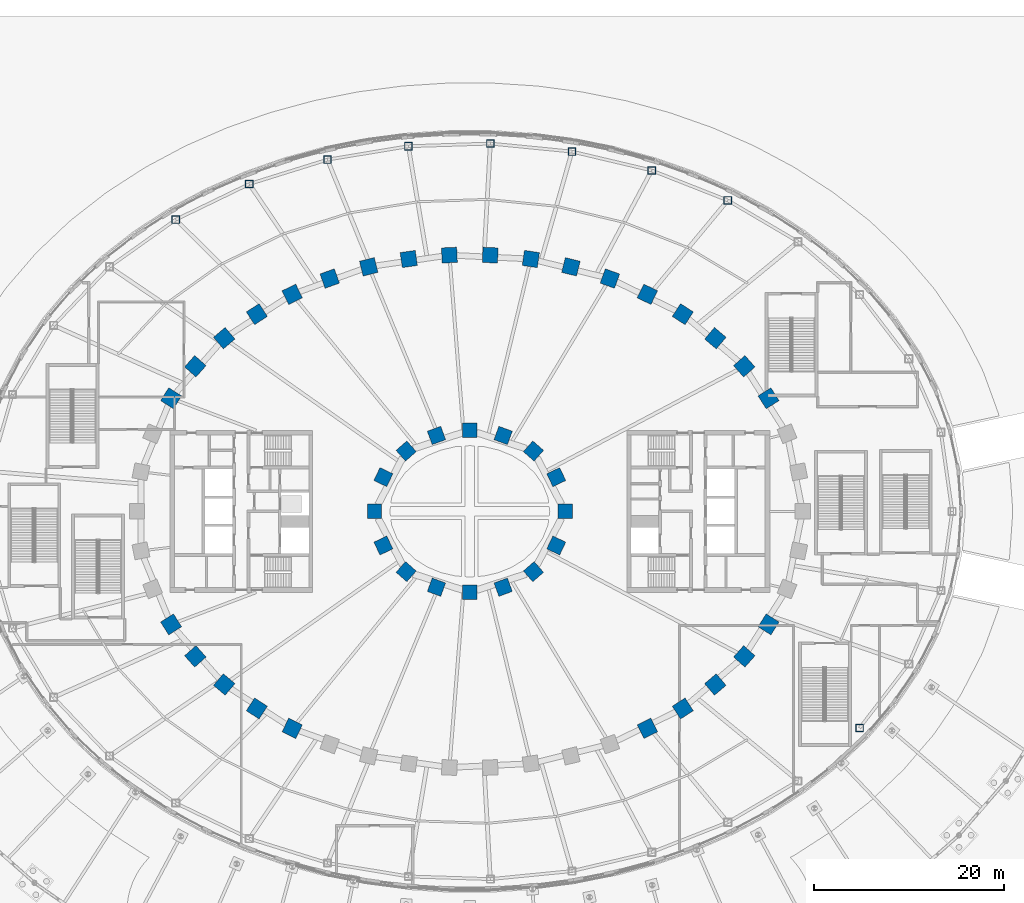
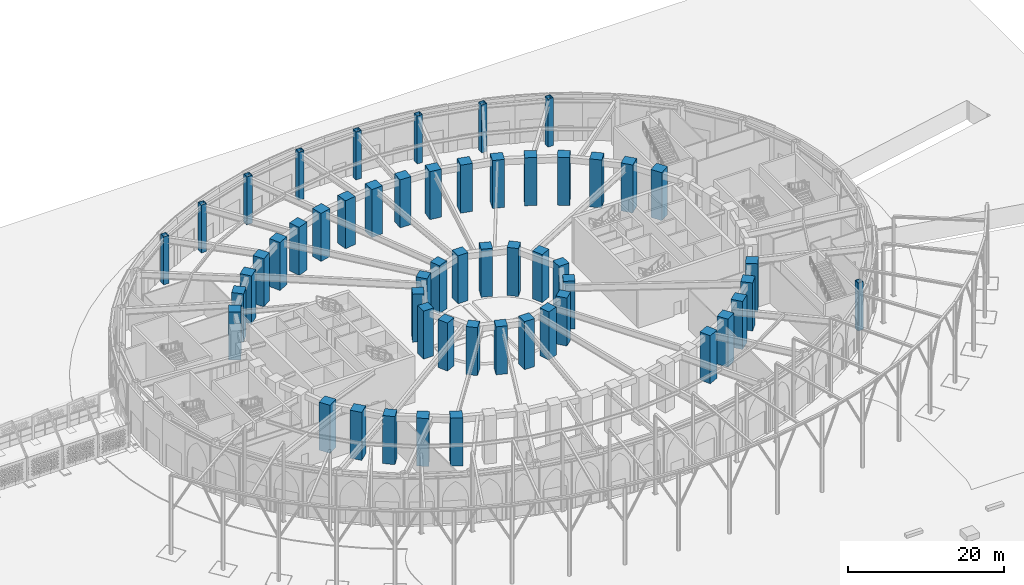
# One storey, part 15 of 79: 53 columns.
"""IFC4 building model written with IfcOpenShell, lengths in metres."""

from ifc_helpers import new_model, si_unit, direction, frame, origin, origin_2d, place, context, subcontext, project, spatial, rectangle, hollow_rectangle, extrude, material, material_profile, profile_set, type_object, element, save


model = new_model("IFC4")

# Units and contexts
model_context = context("Model", 3, precision=1e-05, world=origin(), true_north=direction((0.0, 1.0)))
body_context = subcontext(model_context, "Body", "Model", "MODEL_VIEW")
ifc_project = project(units=[si_unit("LENGTHUNIT", "METRE"), si_unit("AREAUNIT", "SQUARE_METRE"), si_unit("VOLUMEUNIT", "CUBIC_METRE"), si_unit("PLANEANGLEUNIT", "RADIAN"), si_unit("MASSUNIT", "GRAM", prefix="KILO")], contexts=[model_context])

# Site, building, storey
site_placement = place(None, origin())
site = spatial("IfcSite", under=ifc_project, at=site_placement, CompositionType="ELEMENT")
building_placement = place(site_placement, origin())
building = spatial("IfcBuilding", under=site, at=building_placement, Name="Noorbagh Ring Tower", CompositionType="ELEMENT")
storey_placement = place(building_placement, origin())
storey = spatial("IfcBuildingStorey", under=building, at=storey_placement, Name="L00", CompositionType="ELEMENT", Elevation=0.0)

# Columns
ifc_material_1 = material(Name="Steel S355", Category="steel")
ifc_material_profile_1 = material_profile(ifc_material_1, hollow_rectangle(XDim=0.800048828125, YDim=0.800048828125, WallThickness=0.0400390625, at=origin_2d()), Name="BOX800x800x40")
ifc_profile_set_1 = profile_set([ifc_material_profile_1], Name="Steel S355")
column_type_1 = type_object("IfcColumnType", Name="GND-COL-BOX800x800x40", PredefinedType="COLUMN", material=ifc_profile_set_1)
for number, where, z_axis, x_axis, name in (
    (1, (27.0869140625, 32.648193359375, 0.0), (0.0, 0.0, 1.0), (1.0, 0.0, 0.0), "L00/col/RP-06"),
    (2, (19.0966796875, 35.791748046875, 0.0), (0.0, 0.0, 1.0), (1.0, 0.0, 0.0), "L00/col/RP-07"),
    (3, (10.724609375, 37.771240234375, 0.0), (0.0, 0.0, 1.0), (1.0, 0.0, 0.0), "L00/col/RP-08"),
    (4, (2.154541015625, 38.6142578125, 0.0), (0.0, 0.0, 1.0), (1.0, 0.0, 0.0), "L00/col/RP-09"),
    (5, (-6.4541015625, 38.33349609375, 0.0), (0.0, 0.0, 1.0), (1.0, 0.0, 0.0), "L00/col/RP-10"),
    (6, (-14.946044921875, 36.925048828125, 0.0), (0.0, 0.0, 1.0), (1.0, 0.0, 0.0), "L00/col/RP-11"),
    (7, (-23.152587890625, 34.36767578125, 0.0), (0.0, 0.0, 1.0), (1.0, 0.0, 0.0), "L00/col/RP-12"),
    (8, (-30.869384765625, 30.629150390625, 0.0), (0.0, 0.0, 1.0), (1.0, 0.0, 0.0), "L00/col/RP-13"),
    (9, (40.927734375, -22.75, 0.0), (0.0, 0.0, 1.0), (1.0, 0.0, 0.0), "L00/col/RP-31"),
):
    element("IfcColumn", number, at=place(storey_placement, frame(where, z_axis=z_axis, x_axis=x_axis)), inside=storey, type_object=column_type_1, Name=name, PredefinedType="COLUMN", context=body_context, shape_type="SweptSolid", body=[
        extrude(hollow_rectangle(XDim=0.800048828125, YDim=0.800048828125, WallThickness=0.0400390625, at=origin_2d()), origin(), (0.0, 0.0, 1.0), 7.5),
    ])
ifc_material_2 = material(Name="Concrete C70/85", Category="concrete")
ifc_material_profile_2 = material_profile(ifc_material_2, rectangle(XDim=1.60009765625, YDim=1.60009765625, at=origin_2d()), Name="RC1600x1600")
ifc_profile_set_2 = profile_set([ifc_material_profile_2], Name="Concrete C70/85")
column_type_2 = type_object("IfcColumnType", Name="STR-COL-RC1600x1600-C70-85", PredefinedType="COLUMN", material=ifc_profile_set_2)
for number, where, z_axis, x_axis, name in (
    (10, (31.364990234375, 11.87109375, 0.0), (0.0, 0.0, 1.0), (-0.535190403059, 0.844731455833, 0.0), "L00/col/R1-04"),
    (11, (28.81884765625, 15.23046875, 0.0), (0.0, 0.0, 1.0), (-0.662635642662, 0.748941923699, 0.0), "L00/col/R1-05"),
    (12, (25.78271484375, 18.180419921875, 0.0), (0.0, 0.0, 1.0), (-0.763035199656, 0.646356932419, 0.0), "L00/col/R1-06"),
    (13, (22.362060546875, 20.699951171875, 0.0), (0.0, 0.0, 1.0), (-0.840247639643, 0.542202825586, 0.0), "L00/col/R1-07"),
    (14, (18.646240234375, 22.785400390625, 0.0), (0.0, 0.0, 1.0), (-0.898399080868, 0.439180021741, 0.0), "L00/col/R1-08"),
    (15, (14.70947265625, 24.44091796875, 0.0), (0.0, 0.0, 1.0), (-0.941024726094, 0.338337797003, 0.0), "L00/col/R1-09"),
    (16, (10.61328125, 25.673583984375, 0.0), (0.0, 0.0, 1.0), (-0.970829360981, 0.239771457553, 0.0), "L00/col/R1-10"),
    (17, (6.4091796875, 26.49072265625, 0.0), (0.0, 0.0, 1.0), (-0.989713114048, 0.143066249975, 0.0), "L00/col/R1-11"),
    (18, (2.14306640625, 26.89794921875, 0.0), (0.0, 0.0, 1.0), (-0.998868731212, 0.047552684538, 0.0), "L00/col/R1-12"),
    (19, (-2.14306640625, 26.89794921875, 0.0), (0.0, 0.0, 1.0), (-0.998868731212, -0.047552684538, 0.0), "L00/col/R1-13"),
    (20, (-6.4091796875, 26.49072265625, 0.0), (0.0, 0.0, 1.0), (-0.989713114048, -0.143066249975, 0.0), "L00/col/R1-14"),
    (21, (-10.61328125, 25.673583984375, 0.0), (0.0, 0.0, 1.0), (-0.970829360981, -0.239771457553, 0.0), "L00/col/R1-15"),
    (22, (-14.70947265625, 24.44091796875, 0.0), (0.0, 0.0, 1.0), (-0.941024726094, -0.338337797003, 0.0), "L00/col/R1-16"),
    (23, (-18.646240234375, 22.785400390625, 0.0), (0.0, 0.0, 1.0), (-0.898399080868, -0.439180021741, 0.0), "L00/col/R1-17"),
    (24, (-22.362060546875, 20.699951171875, 0.0), (0.0, 0.0, 1.0), (-0.840247639643, -0.542202825586, 0.0), "L00/col/R1-18"),
    (25, (-25.78271484375, 18.180419921875, 0.0), (0.0, 0.0, 1.0), (-0.763035199656, -0.646356932419, 0.0), "L00/col/R1-19"),
    (26, (-28.81884765625, 15.23046875, 0.0), (0.0, 0.0, 1.0), (-0.662635642662, -0.748941923699, 0.0), "L00/col/R1-20"),
    (27, (-31.364990234375, 11.87109375, 0.0), (0.0, 0.0, 1.0), (-0.535190403059, -0.844731455833, 0.0), "L00/col/R1-21"),
    (28, (-31.364990234375, -11.87109375, 0.0), (0.0, 0.0, 1.0), (0.535190403059, -0.844731455833, 0.0), "L00/col/R1-27"),
    (29, (-28.81884765625, -15.23046875, 0.0), (0.0, 0.0, 1.0), (0.662635642662, -0.748941923699, 0.0), "L00/col/R1-28"),
    (30, (-25.78271484375, -18.180419921875, 0.0), (0.0, 0.0, 1.0), (0.763035199656, -0.646356932419, 0.0), "L00/col/R1-29"),
    (31, (-22.362060546875, -20.699951171875, 0.0), (0.0, 0.0, 1.0), (0.840247639643, -0.542202825586, 0.0), "L00/col/R1-30"),
    (32, (-18.646240234375, -22.785400390625, 0.0), (0.0, 0.0, 1.0), (0.898399080868, -0.439180021741, 0.0), "L00/col/R1-31"),
    (33, (18.646240234375, -22.785400390625, 0.0), (0.0, 0.0, 1.0), (0.898399080868, 0.439180021741, 0.0), "L00/col/R1-40"),
    (34, (22.362060546875, -20.699951171875, 0.0), (0.0, 0.0, 1.0), (0.840247639643, 0.542202825586, 0.0), "L00/col/R1-41"),
    (35, (25.78271484375, -18.180419921875, 0.0), (0.0, 0.0, 1.0), (0.763035199656, 0.646356932419, 0.0), "L00/col/R1-42"),
    (36, (28.81884765625, -15.23046875, 0.0), (0.0, 0.0, 1.0), (0.662635642662, 0.748941923699, 0.0), "L00/col/R1-43"),
    (37, (31.364990234375, -11.87109375, 0.0), (0.0, 0.0, 1.0), (0.535190403059, 0.844731455833, 0.0), "L00/col/R1-44"),
):
    element("IfcColumn", number, at=place(storey_placement, frame(where, z_axis=z_axis, x_axis=x_axis)), inside=storey, type_object=column_type_2, Name=name, PredefinedType="COLUMN", context=body_context, shape_type="SweptSolid", body=[
        extrude(rectangle(XDim=1.60009765625, YDim=1.60009765625, at=origin_2d()), origin(), (0.0, 0.0, 1.0), 7.5),
    ])
ifc_material_3 = material(Name="Concrete C70/85", Category="concrete")
ifc_material_profile_3 = material_profile(ifc_material_3, rectangle(XDim=1.5, YDim=1.5, at=origin_2d()), Name="RC1500x1500")
ifc_profile_set_3 = profile_set([ifc_material_profile_3], Name="Concrete C70/85")
column_type_3 = type_object("IfcColumnType", Name="STR-ICOL-RC1500x1500-C70-85", PredefinedType="COLUMN", material=ifc_profile_set_3)
for number, where, z_axis, x_axis, name in (
    (38, (10.00830078125, 0.0, 0.0), (0.0, 0.0, 1.0), (0.0, 1.0, 0.0), "L00/col/IR2-W01"),
    (39, (9.07568359375, 3.58837890625, 0.0), (0.0, 0.0, 1.0), (-0.428666979171, 0.903462573087, 0.0), "L00/col/IR2-W03"),
    (40, (6.68212890625, 6.333740234375, 0.0), (0.0, 0.0, 1.0), (-0.75102249095, 0.660276622399, 0.0), "L00/col/IR2-W05"),
    (41, (3.5009765625, 7.967041015625, 0.0), (0.0, 0.0, 1.0), (-0.939019578916, 0.343863679984, 0.0), "L00/col/IR2-W07"),
    (42, (0.0, 8.5029296875, 0.0), (0.0, 0.0, 1.0), (-1.0, 0.0, 0.0), "L00/col/IR2-W09"),
    (43, (-3.5009765625, 7.967041015625, 0.0), (0.0, 0.0, 1.0), (-0.939019578916, -0.343863679984, 0.0), "L00/col/IR2-W11"),
    (44, (-6.68212890625, 6.333740234375, 0.0), (0.0, 0.0, 1.0), (-0.75102249095, -0.660276622399, 0.0), "L00/col/IR2-W13"),
    (45, (-9.07568359375, 3.58837890625, 0.0), (0.0, 0.0, 1.0), (-0.428666979171, -0.903462573087, 0.0), "L00/col/IR2-W15"),
    (46, (-10.00830078125, 0.0, 0.0), (0.0, 0.0, 1.0), (0.0, -1.0, 0.0), "L00/col/IR2-W17"),
    (47, (-9.07568359375, -3.58837890625, 0.0), (0.0, 0.0, 1.0), (0.428666979171, -0.903462573087, 0.0), "L00/col/IR2-W19"),
    (48, (-6.68212890625, -6.333740234375, 0.0), (0.0, 0.0, 1.0), (0.75102249095, -0.660276622399, 0.0), "L00/col/IR2-W21"),
    (49, (-3.5009765625, -7.967041015625, 0.0), (0.0, 0.0, 1.0), (0.939019578916, -0.343863679984, 0.0), "L00/col/IR2-W23"),
    (50, (0.0, -8.5029296875, 0.0), (0.0, 0.0, 1.0), (1.0, 0.0, 0.0), "L00/col/IR2-W25"),
    (51, (3.5009765625, -7.967041015625, 0.0), (0.0, 0.0, 1.0), (0.939019578916, 0.343863679984, 0.0), "L00/col/IR2-W27"),
    (52, (6.68212890625, -6.333740234375, 0.0), (0.0, 0.0, 1.0), (0.75102249095, 0.660276622399, 0.0), "L00/col/IR2-W29"),
    (53, (9.07568359375, -3.58837890625, 0.0), (0.0, 0.0, 1.0), (0.428666979171, 0.903462573087, 0.0), "L00/col/IR2-W31"),
):
    element("IfcColumn", number, at=place(storey_placement, frame(where, z_axis=z_axis, x_axis=x_axis)), inside=storey, type_object=column_type_3, Name=name, PredefinedType="COLUMN", context=body_context, shape_type="SweptSolid", body=[
        extrude(rectangle(XDim=1.5, YDim=1.5, at=origin_2d()), origin(), (0.0, 0.0, 1.0), 7.5),
    ])

save(model, "model.ifc")
